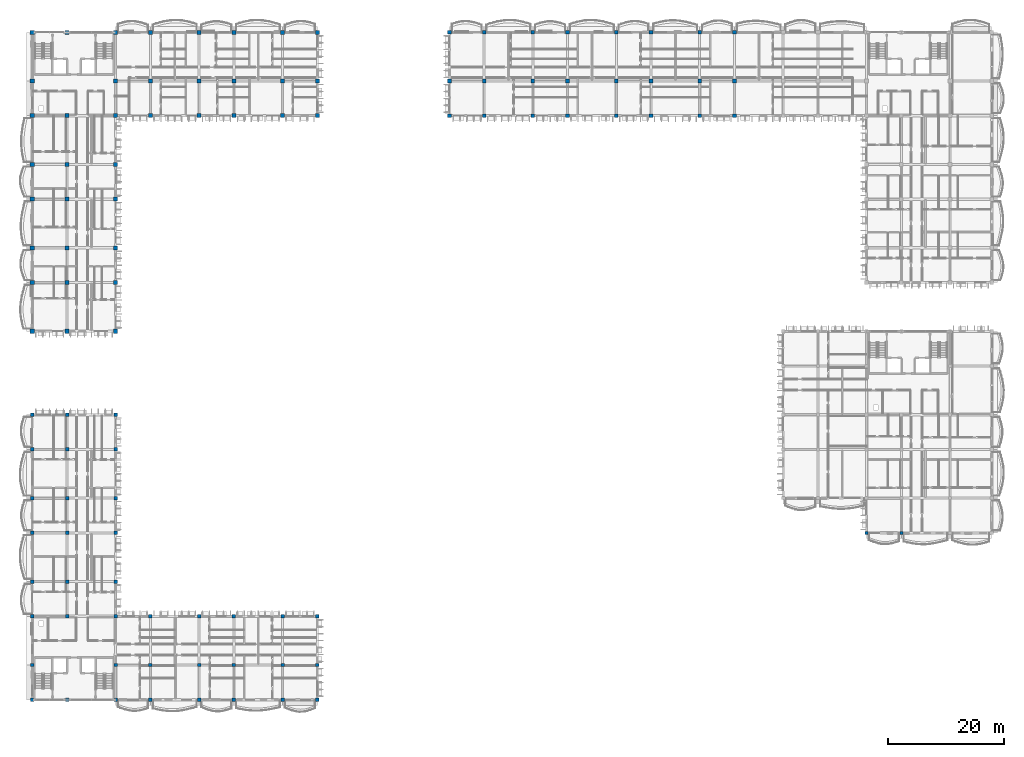
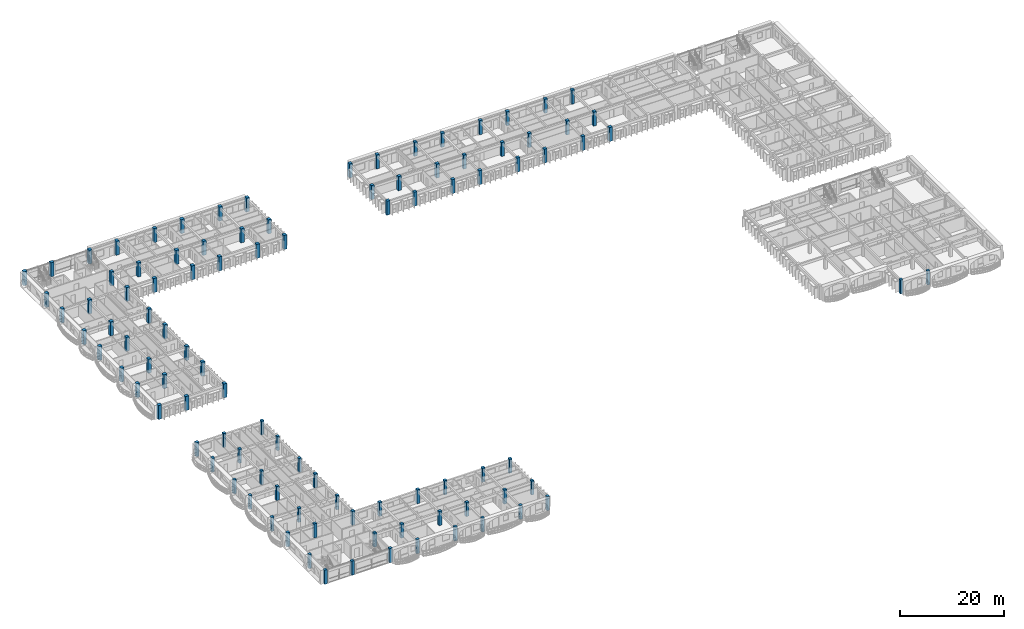
# One storey, part 1 of 70: 102 columns.
"""IFC4 building model written with IfcOpenShell, lengths in metres."""

from ifc_helpers import new_model, si_unit, direction, frame, origin, origin_2d, place, context, subcontext, project, spatial, rectangle, extrude, material, material_profile, profile_set, type_object, element, save


model = new_model("IFC4")

# Units and contexts
model_context = context("Model", 3, precision=1e-05, world=origin(), true_north=direction((0.0, 1.0)))
body_context = subcontext(model_context, "Body", "Model", "MODEL_VIEW")
ifc_project = project(units=[si_unit("LENGTHUNIT", "METRE"), si_unit("AREAUNIT", "SQUARE_METRE"), si_unit("VOLUMEUNIT", "CUBIC_METRE"), si_unit("PLANEANGLEUNIT", "RADIAN"), si_unit("MASSUNIT", "GRAM", prefix="KILO"), si_unit("THERMODYNAMICTEMPERATUREUNIT", "KELVIN")], contexts=[model_context])

# Site, building, storey
site_placement = place(None, origin())
site = spatial("IfcSite", under=ifc_project, at=site_placement, CompositionType="ELEMENT")
building_placement = place(site_placement, origin())
building = spatial("IfcBuilding", under=site, at=building_placement, Name="Thalorik Housing Commons", CompositionType="ELEMENT")
storey_placement = place(building_placement, frame((0.0, 0.0, 14.699951171875)))
storey = spatial("IfcBuildingStorey", under=building, at=storey_placement, Name="L04", CompositionType="ELEMENT", Elevation=14.699951171875)

# Columns
ifc_material = material(Name="Precast concrete C40/50", Category="concrete")
ifc_material_profile_1 = material_profile(ifc_material, rectangle(XDim=0.550048828125, YDim=0.550048828125, at=origin_2d()), Name="PC 550x550", Category="concrete")
ifc_profile_set_1 = profile_set([ifc_material_profile_1], Name="Precast concrete C40/50")
column_type_1 = type_object("IfcColumnType", Name="STR-COL-PC550", PredefinedType="COLUMN", material=ifc_profile_set_1)
for number, where, z_axis, x_axis, name in (
    (1, (152.39990234375, 37.199951171875, 0.0), (0.0, 0.0, 1.0), (1.0, 0.0, 0.0), "L04 Column C-550"),
    (2, (158.39990234375, 37.199951171875, 0.0), (0.0, 0.0, 1.0), (1.0, 0.0, 0.0), "L04 Column C-550"),
):
    element("IfcColumn", number, at=place(storey_placement, frame(where, z_axis=z_axis, x_axis=x_axis)), inside=storey, type_object=column_type_1, Name=name, PredefinedType="COLUMN", context=body_context, shape_type="SweptSolid", body=[
        extrude(rectangle(XDim=0.550048828125, YDim=0.550048828125, at=origin_2d()), origin(), (0.0, 0.0, 1.0), 3.300048828125),
    ])
ifc_material_profile_2 = material_profile(ifc_material, rectangle(XDim=0.60009765625, YDim=0.60009765625, at=origin_2d()), Name="PC 600x600", Category="concrete")
ifc_profile_set_2 = profile_set([ifc_material_profile_2], Name="Precast concrete C40/50")
column_type_2 = type_object("IfcColumnType", Name="STR-COL-PC600", PredefinedType="COLUMN", material=ifc_profile_set_2)
for number, where, z_axis, x_axis, name in (
    (3, (8.39990234375, 8.39990234375, 0.0), (0.0, 0.0, 1.0), (1.0, 0.0, 0.0), "L04 Column C-600"),
    (4, (8.39990234375, 14.39990234375, 0.0), (0.0, 0.0, 1.0), (1.0, 0.0, 0.0), "L04 Column C-600"),
    (5, (8.39990234375, 22.800048828125, 0.0), (0.0, 0.0, 1.0), (1.0, 0.0, 0.0), "L04 Column C-600"),
    (6, (8.39990234375, 28.800048828125, 0.0), (0.0, 0.0, 1.0), (1.0, 0.0, 0.0), "L04 Column C-600"),
    (7, (8.39990234375, 37.199951171875, 0.0), (0.0, 0.0, 1.0), (1.0, 0.0, 0.0), "L04 Column C-600"),
    (8, (8.39990234375, 43.199951171875, 0.0), (0.0, 0.0, 1.0), (1.0, 0.0, 0.0), "L04 Column C-600"),
    (9, (8.39990234375, 51.60009765625, 0.0), (0.0, 0.0, 1.0), (1.0, 0.0, 0.0), "L04 Column C-600"),
    (10, (8.39990234375, 57.60009765625, 0.0), (0.0, 0.0, 1.0), (1.0, 0.0, 0.0), "L04 Column C-600"),
    (11, (14.39990234375, 8.39990234375, 0.0), (0.0, 0.0, 1.0), (1.0, 0.0, 0.0), "L04 Column C-600"),
    (12, (14.39990234375, 22.800048828125, 0.0), (0.0, 0.0, 1.0), (1.0, 0.0, 0.0), "L04 Column C-600"),
    (13, (14.39990234375, 28.800048828125, 0.0), (0.0, 0.0, 1.0), (1.0, 0.0, 0.0), "L04 Column C-600"),
    (14, (14.39990234375, 37.199951171875, 0.0), (0.0, 0.0, 1.0), (1.0, 0.0, 0.0), "L04 Column C-600"),
    (15, (14.39990234375, 43.199951171875, 0.0), (0.0, 0.0, 1.0), (1.0, 0.0, 0.0), "L04 Column C-600"),
    (16, (14.39990234375, 51.60009765625, 0.0), (0.0, 0.0, 1.0), (1.0, 0.0, 0.0), "L04 Column C-600"),
    (17, (14.39990234375, 57.60009765625, 0.0), (0.0, 0.0, 1.0), (1.0, 0.0, 0.0), "L04 Column C-600"),
    (18, (22.800048828125, 8.39990234375, 0.0), (0.0, 0.0, 1.0), (1.0, 0.0, 0.0), "L04 Column C-600"),
    (19, (22.800048828125, 14.39990234375, 0.0), (0.0, 0.0, 1.0), (1.0, 0.0, 0.0), "L04 Column C-600"),
    (20, (22.800048828125, 22.800048828125, 0.0), (0.0, 0.0, 1.0), (1.0, 0.0, 0.0), "L04 Column C-600"),
    (21, (22.800048828125, 28.800048828125, 0.0), (0.0, 0.0, 1.0), (1.0, 0.0, 0.0), "L04 Column C-600"),
    (22, (22.800048828125, 37.199951171875, 0.0), (0.0, 0.0, 1.0), (1.0, 0.0, 0.0), "L04 Column C-600"),
    (23, (22.800048828125, 43.199951171875, 0.0), (0.0, 0.0, 1.0), (1.0, 0.0, 0.0), "L04 Column C-600"),
    (24, (22.800048828125, 51.60009765625, 0.0), (0.0, 0.0, 1.0), (1.0, 0.0, 0.0), "L04 Column C-600"),
    (25, (22.800048828125, 57.60009765625, 0.0), (0.0, 0.0, 1.0), (1.0, 0.0, 0.0), "L04 Column C-600"),
    (26, (28.800048828125, 8.39990234375, 0.0), (0.0, 0.0, 1.0), (1.0, 0.0, 0.0), "L04 Column C-600"),
    (27, (28.800048828125, 14.39990234375, 0.0), (0.0, 0.0, 1.0), (1.0, 0.0, 0.0), "L04 Column C-600"),
    (28, (28.800048828125, 22.800048828125, 0.0), (0.0, 0.0, 1.0), (1.0, 0.0, 0.0), "L04 Column C-600"),
    (29, (37.199951171875, 8.39990234375, 0.0), (0.0, 0.0, 1.0), (1.0, 0.0, 0.0), "L04 Column C-600"),
    (30, (37.199951171875, 14.39990234375, 0.0), (0.0, 0.0, 1.0), (1.0, 0.0, 0.0), "L04 Column C-600"),
    (31, (37.199951171875, 22.800048828125, 0.0), (0.0, 0.0, 1.0), (1.0, 0.0, 0.0), "L04 Column C-600"),
    (32, (43.199951171875, 8.39990234375, 0.0), (0.0, 0.0, 1.0), (1.0, 0.0, 0.0), "L04 Column C-600"),
    (33, (43.199951171875, 14.39990234375, 0.0), (0.0, 0.0, 1.0), (1.0, 0.0, 0.0), "L04 Column C-600"),
    (34, (43.199951171875, 22.800048828125, 0.0), (0.0, 0.0, 1.0), (1.0, 0.0, 0.0), "L04 Column C-600"),
    (35, (51.60009765625, 8.39990234375, 0.0), (0.0, 0.0, 1.0), (1.0, 0.0, 0.0), "L04 Column C-600"),
    (36, (51.60009765625, 14.39990234375, 0.0), (0.0, 0.0, 1.0), (1.0, 0.0, 0.0), "L04 Column C-600"),
    (37, (51.60009765625, 22.800048828125, 0.0), (0.0, 0.0, 1.0), (1.0, 0.0, 0.0), "L04 Column C-600"),
    (38, (57.60009765625, 8.39990234375, 0.0), (0.0, 0.0, 1.0), (1.0, 0.0, 0.0), "L04 Column C-600"),
    (39, (57.60009765625, 14.39990234375, 0.0), (0.0, 0.0, 1.0), (1.0, 0.0, 0.0), "L04 Column C-600"),
    (40, (57.60009765625, 22.800048828125, 0.0), (0.0, 0.0, 1.0), (1.0, 0.0, 0.0), "L04 Column C-600"),
):
    element("IfcColumn", number, at=place(storey_placement, frame(where, z_axis=z_axis, x_axis=x_axis)), inside=storey, type_object=column_type_2, Name=name, PredefinedType="COLUMN", context=body_context, shape_type="SweptSolid", body=[
        extrude(rectangle(XDim=0.60009765625, YDim=0.60009765625, at=origin_2d()), origin(), (0.0, 0.0, 1.0), 3.300048828125),
    ])
ifc_material_profile_3 = material_profile(ifc_material, rectangle(XDim=0.64990234375, YDim=0.64990234375, at=origin_2d()), Name="PC 650x650", Category="concrete")
ifc_profile_set_3 = profile_set([ifc_material_profile_3], Name="Precast concrete C40/50")
column_type_3 = type_object("IfcColumnType", Name="STR-COL-PC650", PredefinedType="COLUMN", material=ifc_profile_set_3)
for number, where, z_axis, x_axis, name in (
    (41, (80.39990234375, 109.199951171875, 0.0), (0.0, 0.0, 1.0), (1.0, 0.0, 0.0), "L04 Column C-650"),
    (42, (80.39990234375, 115.199951171875, 0.0), (0.0, 0.0, 1.0), (1.0, 0.0, 0.0), "L04 Column C-650"),
    (43, (80.39990234375, 123.60009765625, 0.0), (0.0, 0.0, 1.0), (1.0, 0.0, 0.0), "L04 Column C-650"),
    (44, (86.39990234375, 109.199951171875, 0.0), (0.0, 0.0, 1.0), (1.0, 0.0, 0.0), "L04 Column C-650"),
    (45, (86.39990234375, 115.199951171875, 0.0), (0.0, 0.0, 1.0), (1.0, 0.0, 0.0), "L04 Column C-650"),
    (46, (86.39990234375, 123.60009765625, 0.0), (0.0, 0.0, 1.0), (1.0, 0.0, 0.0), "L04 Column C-650"),
    (47, (94.800048828125, 109.199951171875, 0.0), (0.0, 0.0, 1.0), (1.0, 0.0, 0.0), "L04 Column C-650"),
    (48, (94.800048828125, 115.199951171875, 0.0), (0.0, 0.0, 1.0), (1.0, 0.0, 0.0), "L04 Column C-650"),
    (49, (94.800048828125, 123.60009765625, 0.0), (0.0, 0.0, 1.0), (1.0, 0.0, 0.0), "L04 Column C-650"),
    (50, (100.800048828125, 109.199951171875, 0.0), (0.0, 0.0, 1.0), (1.0, 0.0, 0.0), "L04 Column C-650"),
    (51, (100.800048828125, 115.199951171875, 0.0), (0.0, 0.0, 1.0), (1.0, 0.0, 0.0), "L04 Column C-650"),
    (52, (100.800048828125, 123.60009765625, 0.0), (0.0, 0.0, 1.0), (1.0, 0.0, 0.0), "L04 Column C-650"),
    (53, (109.199951171875, 109.199951171875, 0.0), (0.0, 0.0, 1.0), (1.0, 0.0, 0.0), "L04 Column C-650"),
    (54, (109.199951171875, 115.199951171875, 0.0), (0.0, 0.0, 1.0), (1.0, 0.0, 0.0), "L04 Column C-650"),
    (55, (109.199951171875, 123.60009765625, 0.0), (0.0, 0.0, 1.0), (1.0, 0.0, 0.0), "L04 Column C-650"),
    (56, (115.199951171875, 109.199951171875, 0.0), (0.0, 0.0, 1.0), (1.0, 0.0, 0.0), "L04 Column C-650"),
    (57, (115.199951171875, 115.199951171875, 0.0), (0.0, 0.0, 1.0), (1.0, 0.0, 0.0), "L04 Column C-650"),
    (58, (115.199951171875, 123.60009765625, 0.0), (0.0, 0.0, 1.0), (1.0, 0.0, 0.0), "L04 Column C-650"),
    (59, (123.60009765625, 109.199951171875, 0.0), (0.0, 0.0, 1.0), (1.0, 0.0, 0.0), "L04 Column C-650"),
    (60, (123.60009765625, 115.199951171875, 0.0), (0.0, 0.0, 1.0), (1.0, 0.0, 0.0), "L04 Column C-650"),
    (61, (123.60009765625, 123.60009765625, 0.0), (0.0, 0.0, 1.0), (1.0, 0.0, 0.0), "L04 Column C-650"),
    (62, (129.60009765625, 109.199951171875, 0.0), (0.0, 0.0, 1.0), (1.0, 0.0, 0.0), "L04 Column C-650"),
    (63, (129.60009765625, 115.199951171875, 0.0), (0.0, 0.0, 1.0), (1.0, 0.0, 0.0), "L04 Column C-650"),
    (64, (129.60009765625, 123.60009765625, 0.0), (0.0, 0.0, 1.0), (1.0, 0.0, 0.0), "L04 Column C-650"),
):
    element("IfcColumn", number, at=place(storey_placement, frame(where, z_axis=z_axis, x_axis=x_axis)), inside=storey, type_object=column_type_3, Name=name, PredefinedType="COLUMN", context=body_context, shape_type="SweptSolid", body=[
        extrude(rectangle(XDim=0.64990234375, YDim=0.64990234375, at=origin_2d()), origin(), (0.0, 0.0, 1.0), 3.300048828125),
    ])
ifc_material_profile_4 = material_profile(ifc_material, rectangle(XDim=0.699951171875, YDim=0.699951171875, at=origin_2d()), Name="PC 700x700", Category="concrete")
ifc_profile_set_4 = profile_set([ifc_material_profile_4], Name="Precast concrete C40/50")
column_type_4 = type_object("IfcColumnType", Name="STR-COL-PC700", PredefinedType="COLUMN", material=ifc_profile_set_4)
for number, where, z_axis, x_axis, name in (
    (65, (8.39990234375, 72.0, 0.0), (0.0, 0.0, 1.0), (1.0, 0.0, 0.0), "L04 Column C-700"),
    (66, (8.39990234375, 80.39990234375, 0.0), (0.0, 0.0, 1.0), (1.0, 0.0, 0.0), "L04 Column C-700"),
    (67, (8.39990234375, 86.39990234375, 0.0), (0.0, 0.0, 1.0), (1.0, 0.0, 0.0), "L04 Column C-700"),
    (68, (8.39990234375, 94.800048828125, 0.0), (0.0, 0.0, 1.0), (1.0, 0.0, 0.0), "L04 Column C-700"),
    (69, (8.39990234375, 100.800048828125, 0.0), (0.0, 0.0, 1.0), (1.0, 0.0, 0.0), "L04 Column C-700"),
    (70, (8.39990234375, 109.199951171875, 0.0), (0.0, 0.0, 1.0), (1.0, 0.0, 0.0), "L04 Column C-700"),
    (71, (8.39990234375, 115.199951171875, 0.0), (0.0, 0.0, 1.0), (1.0, 0.0, 0.0), "L04 Column C-700"),
    (72, (8.39990234375, 123.60009765625, 0.0), (0.0, 0.0, 1.0), (1.0, 0.0, 0.0), "L04 Column C-700"),
    (73, (14.39990234375, 72.0, 0.0), (0.0, 0.0, 1.0), (1.0, 0.0, 0.0), "L04 Column C-700"),
    (74, (14.39990234375, 80.39990234375, 0.0), (0.0, 0.0, 1.0), (1.0, 0.0, 0.0), "L04 Column C-700"),
    (75, (14.39990234375, 86.39990234375, 0.0), (0.0, 0.0, 1.0), (1.0, 0.0, 0.0), "L04 Column C-700"),
    (76, (14.39990234375, 94.800048828125, 0.0), (0.0, 0.0, 1.0), (1.0, 0.0, 0.0), "L04 Column C-700"),
    (77, (14.39990234375, 100.800048828125, 0.0), (0.0, 0.0, 1.0), (1.0, 0.0, 0.0), "L04 Column C-700"),
    (78, (14.39990234375, 109.199951171875, 0.0), (0.0, 0.0, 1.0), (1.0, 0.0, 0.0), "L04 Column C-700"),
    (79, (14.39990234375, 123.60009765625, 0.0), (0.0, 0.0, 1.0), (1.0, 0.0, 0.0), "L04 Column C-700"),
    (80, (22.800048828125, 72.0, 0.0), (0.0, 0.0, 1.0), (1.0, 0.0, 0.0), "L04 Column C-700"),
    (81, (22.800048828125, 80.39990234375, 0.0), (0.0, 0.0, 1.0), (1.0, 0.0, 0.0), "L04 Column C-700"),
    (82, (22.800048828125, 86.39990234375, 0.0), (0.0, 0.0, 1.0), (1.0, 0.0, 0.0), "L04 Column C-700"),
    (83, (22.800048828125, 94.800048828125, 0.0), (0.0, 0.0, 1.0), (1.0, 0.0, 0.0), "L04 Column C-700"),
    (84, (22.800048828125, 100.800048828125, 0.0), (0.0, 0.0, 1.0), (1.0, 0.0, 0.0), "L04 Column C-700"),
    (85, (22.800048828125, 109.199951171875, 0.0), (0.0, 0.0, 1.0), (1.0, 0.0, 0.0), "L04 Column C-700"),
    (86, (22.800048828125, 115.199951171875, 0.0), (0.0, 0.0, 1.0), (1.0, 0.0, 0.0), "L04 Column C-700"),
    (87, (22.800048828125, 123.60009765625, 0.0), (0.0, 0.0, 1.0), (1.0, 0.0, 0.0), "L04 Column C-700"),
    (88, (28.800048828125, 109.199951171875, 0.0), (0.0, 0.0, 1.0), (1.0, 0.0, 0.0), "L04 Column C-700"),
    (89, (28.800048828125, 115.199951171875, 0.0), (0.0, 0.0, 1.0), (1.0, 0.0, 0.0), "L04 Column C-700"),
    (90, (28.800048828125, 123.60009765625, 0.0), (0.0, 0.0, 1.0), (1.0, 0.0, 0.0), "L04 Column C-700"),
    (91, (37.199951171875, 109.199951171875, 0.0), (0.0, 0.0, 1.0), (1.0, 0.0, 0.0), "L04 Column C-700"),
    (92, (37.199951171875, 115.199951171875, 0.0), (0.0, 0.0, 1.0), (1.0, 0.0, 0.0), "L04 Column C-700"),
    (93, (37.199951171875, 123.60009765625, 0.0), (0.0, 0.0, 1.0), (1.0, 0.0, 0.0), "L04 Column C-700"),
    (94, (43.199951171875, 109.199951171875, 0.0), (0.0, 0.0, 1.0), (1.0, 0.0, 0.0), "L04 Column C-700"),
    (95, (43.199951171875, 115.199951171875, 0.0), (0.0, 0.0, 1.0), (1.0, 0.0, 0.0), "L04 Column C-700"),
    (96, (43.199951171875, 123.60009765625, 0.0), (0.0, 0.0, 1.0), (1.0, 0.0, 0.0), "L04 Column C-700"),
    (97, (51.60009765625, 109.199951171875, 0.0), (0.0, 0.0, 1.0), (1.0, 0.0, 0.0), "L04 Column C-700"),
    (98, (51.60009765625, 115.199951171875, 0.0), (0.0, 0.0, 1.0), (1.0, 0.0, 0.0), "L04 Column C-700"),
    (99, (51.60009765625, 123.60009765625, 0.0), (0.0, 0.0, 1.0), (1.0, 0.0, 0.0), "L04 Column C-700"),
    (100, (57.60009765625, 109.199951171875, 0.0), (0.0, 0.0, 1.0), (1.0, 0.0, 0.0), "L04 Column C-700"),
    (101, (57.60009765625, 115.199951171875, 0.0), (0.0, 0.0, 1.0), (1.0, 0.0, 0.0), "L04 Column C-700"),
    (102, (57.60009765625, 123.60009765625, 0.0), (0.0, 0.0, 1.0), (1.0, 0.0, 0.0), "L04 Column C-700"),
):
    element("IfcColumn", number, at=place(storey_placement, frame(where, z_axis=z_axis, x_axis=x_axis)), inside=storey, type_object=column_type_4, Name=name, PredefinedType="COLUMN", context=body_context, shape_type="SweptSolid", body=[
        extrude(rectangle(XDim=0.699951171875, YDim=0.699951171875, at=origin_2d()), origin(), (0.0, 0.0, 1.0), 3.300048828125),
    ])

save(model, "model.ifc")
